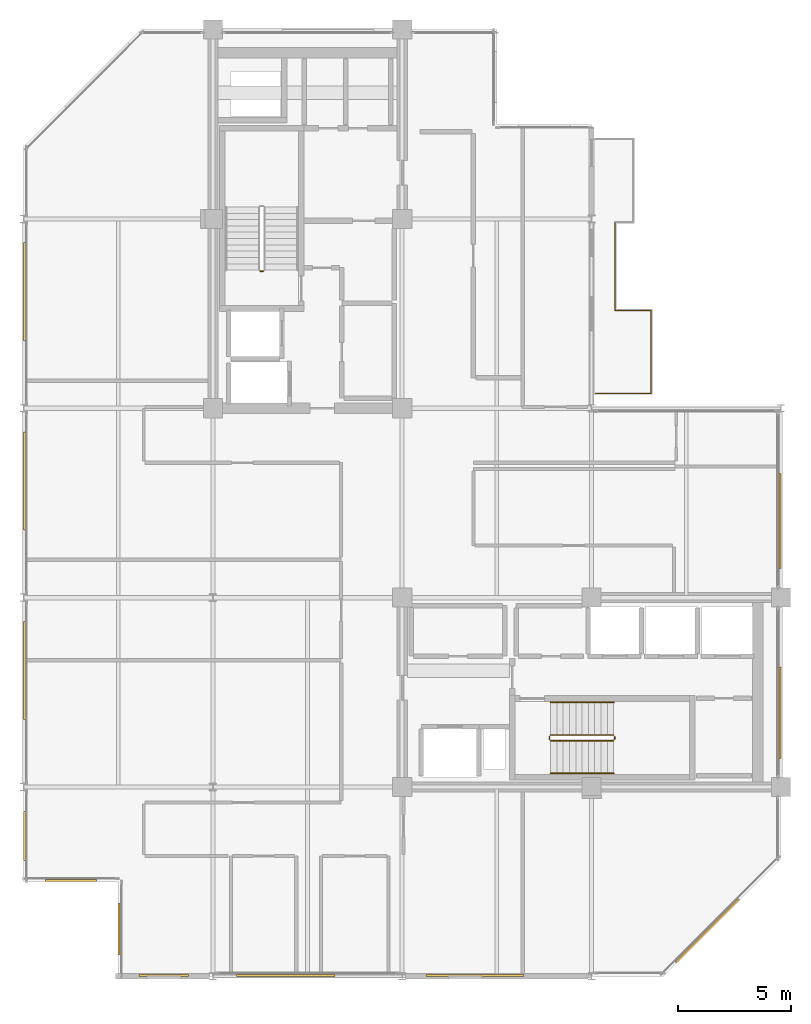
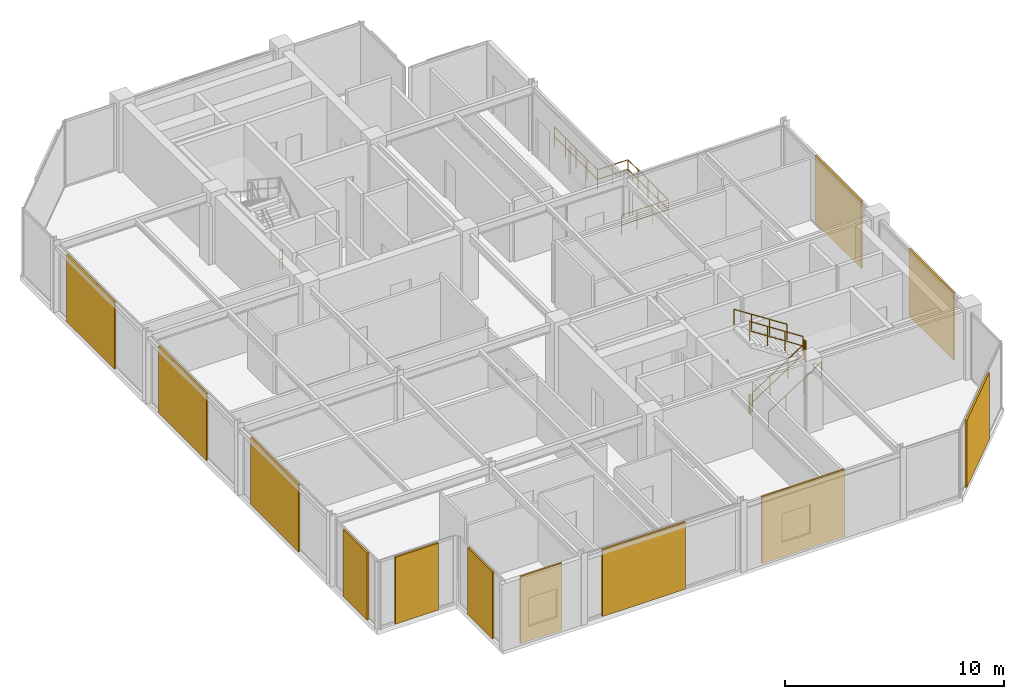
# One storey, part 23 of 24: 12 coverings, 11 railings.
"""IFC4 building model written with IfcOpenShell, lengths in metres."""

from ifc_helpers import new_model, si_unit, direction, frame, origin, origin_2d, place, context, subcontext, project, spatial, rectangle, circle, extrude, material, layer, layer_set, type_object, element, save


model = new_model("IFC4")

# Units and contexts
model_context = context("Model", 3, precision=1e-05, world=origin(), true_north=direction((0.0, 1.0)))
body_context = subcontext(model_context, "Body", "Model", "MODEL_VIEW")
ifc_project = project(units=[si_unit("LENGTHUNIT", "METRE"), si_unit("AREAUNIT", "SQUARE_METRE"), si_unit("VOLUMEUNIT", "CUBIC_METRE"), si_unit("PLANEANGLEUNIT", "RADIAN"), si_unit("MASSUNIT", "GRAM", prefix="KILO")], contexts=[model_context])

# Site, building, storey
site_placement = place(None, origin())
site = spatial("IfcSite", under=ifc_project, at=site_placement, CompositionType="ELEMENT")
building_placement = place(site_placement, origin())
building = spatial("IfcBuilding", under=site, at=building_placement, Name="Nerrivon Quay Data Exchange", CompositionType="ELEMENT")
storey_placement = place(building_placement, frame((0.0, 0.0, 298.199951171875)))
storey = spatial("IfcBuildingStorey", under=building, at=storey_placement, Name="L71", CompositionType="ELEMENT", Elevation=298.199951171875)

# Coverings
ifc_material_1 = material(Name="Architectural terracotta ceramic", Category="masonry")
ifc_layer = layer(ifc_material_1, 0.090087890625)
ifc_layer_set = layer_set([ifc_layer], Name="Architectural terracotta ceramic")
covering_type = type_object("IfcCoveringType", Name="COV-SCR-TERR", PredefinedType="CLADDING", material=ifc_layer_set)
covering_1_placement = place(storey_placement, frame((30.34423828125, 2.0078125, 0.0), z_axis=(0.0, 0.0, 1.0), x_axis=(-0.707106781187, -0.707106781187, 0.0)))
element("IfcCovering", 1, at=covering_1_placement, inside=storey, type_object=covering_type, Name="L71 Perforated Terracotta SOLAR SCREEN Cassette", PredefinedType="CLADDING", context=body_context, shape_type="SweptSolid", body=[
    extrude(rectangle(XDim=3.970947265625, YDim=0.090087890625, at=origin_2d()), origin(), (0.0, 0.0, 1.0), 3.72509765625),
])
for number, where, z_axis, x_axis, name in (
    (2, (20.029296875, 0.044921875, 0.0), (0.0, 0.0, 1.0), (-1.0, 0.0, 0.0), "L71 Perforated Terracotta SOLAR SCREEN Cassette"),
    (3, (11.62939453125, 0.044921875, 0.0), (0.0, 0.0, 1.0), (-1.0, 0.0, 0.0), "L71 Perforated Terracotta SOLAR SCREEN Cassette"),
):
    element("IfcCovering", number, at=place(storey_placement, frame(where, z_axis=z_axis, x_axis=x_axis)), inside=storey, type_object=covering_type, Name=name, PredefinedType="CLADDING", context=body_context, shape_type="SweptSolid", body=[
        extrude(rectangle(XDim=4.367919921875, YDim=0.090087890625, at=origin_2d()), origin(), (0.0, 0.0, 1.0), 3.72509765625),
    ])
covering_2_placement = place(storey_placement, frame((6.222412109375, 0.044921875, 0.0), z_axis=(0.0, 0.0, 1.0), x_axis=(-1.0, 0.0, 0.0)))
element("IfcCovering", 4, at=covering_2_placement, inside=storey, type_object=covering_type, Name="L71 Perforated Terracotta SOLAR SCREEN Cassette", PredefinedType="CLADDING", context=body_context, shape_type="SweptSolid", body=[
    extrude(rectangle(XDim=2.18408203125, YDim=0.090087890625, at=origin_2d()), origin(), (0.0, 0.0, 1.0), 3.72509765625),
])
for number, where, z_axis, x_axis, name in (
    (5, (4.2451171875, 2.10009765625, 0.0), (0.0, 0.0, 1.0), (0.0, 1.0, 0.0), "L71 Perforated Terracotta SOLAR SCREEN Cassette"),
    (6, (2.10009765625, 4.2451171875, 0.0), (0.0, 0.0, 1.0), (-1.0, 0.0, 0.0), "L71 Perforated Terracotta SOLAR SCREEN Cassette"),
):
    element("IfcCovering", number, at=place(storey_placement, frame(where, z_axis=z_axis, x_axis=x_axis)), inside=storey, type_object=covering_type, Name=name, PredefinedType="CLADDING", context=body_context, shape_type="SweptSolid", body=[
        extrude(rectangle(XDim=2.26806640625, YDim=0.090087890625, at=origin_2d()), origin(), (0.0, 0.0, 1.0), 3.72509765625),
    ])
covering_3_placement = place(storey_placement, frame((0.044921875, 6.21826171875, 0.0), z_axis=(0.0, 0.0, 1.0), x_axis=(0.0, 1.0, 0.0)))
element("IfcCovering", 7, at=covering_3_placement, inside=storey, type_object=covering_type, Name="L71 Perforated Terracotta SOLAR SCREEN Cassette", PredefinedType="CLADDING", context=body_context, shape_type="SweptSolid", body=[
    extrude(rectangle(XDim=2.179931640625, YDim=0.090087890625, at=origin_2d()), origin(), (0.0, 0.0, 1.0), 3.72509765625),
])
for number, where, z_axis, x_axis, name in (
    (8, (0.044921875, 13.56884765625, 0.0), (0.0, 0.0, 1.0), (0.0, 1.0, 0.0), "L71 Perforated Terracotta SOLAR SCREEN Cassette"),
    (9, (0.044921875, 21.96875, 0.0), (0.0, 0.0, 1.0), (0.0, 1.0, 0.0), "L71 Perforated Terracotta SOLAR SCREEN Cassette"),
    (10, (0.044921875, 30.368896484375, 0.0), (0.0, 0.0, 1.0), (0.0, 1.0, 0.0), "L71 Perforated Terracotta SOLAR SCREEN Cassette"),
):
    element("IfcCovering", number, at=place(storey_placement, frame(where, z_axis=z_axis, x_axis=x_axis)), inside=storey, type_object=covering_type, Name=name, PredefinedType="CLADDING", context=body_context, shape_type="SweptSolid", body=[
        extrude(rectangle(XDim=4.35888671875, YDim=0.090087890625, at=origin_2d()), origin(), (0.0, 0.0, 1.0), 3.72509765625),
    ])
covering_4_placement = place(storey_placement, frame((33.554931640625, 20.193359375, 0.0), z_axis=(0.0, 0.0, 1.0), x_axis=(0.0, -1.0, 0.0)))
element("IfcCovering", 11, at=covering_4_placement, inside=storey, type_object=covering_type, Name="L71 Perforated Terracotta SOLAR SCREEN Cassette", PredefinedType="CLADDING", context=body_context, shape_type="SweptSolid", body=[
    extrude(rectangle(XDim=4.218017578125, YDim=0.090087890625, at=origin_2d()), origin(), (0.0, 0.0, 1.0), 3.72509765625),
])
covering_5_placement = place(storey_placement, frame((33.554931640625, 11.694091796875, 0.0), z_axis=(0.0, 0.0, 1.0), x_axis=(0.0, -1.0, 0.0)))
element("IfcCovering", 12, at=covering_5_placement, inside=storey, type_object=covering_type, Name="L71 Perforated Terracotta SOLAR SCREEN Cassette", PredefinedType="CLADDING", context=body_context, shape_type="SweptSolid", body=[
    extrude(rectangle(XDim=4.076904296875, YDim=0.090087890625, at=origin_2d()), origin(), (0.0, 0.0, 1.0), 3.72509765625),
])

# Railings
ifc_material_2 = material(Name="Steel Grade C350L0 (350 MPa)", Category="steel")
railing_type_1 = type_object("IfcRailingType", Name="RAIL-GUARD-GR2", PredefinedType="BALUSTRADE", material=ifc_material_2)
railing_1_placement = place(storey_placement, frame((26.239990234375, 29.5400390625, 0.0)))
element("IfcRailing", 13, at=railing_1_placement, inside=storey, type_object=railing_type_1, Name="L71 Verandah Balcony Guard 1.1 1", PredefinedType="BALUSTRADE", context=body_context, shape_type="SweptSolid", body=[
    extrude(circle(Radius=0.02392578125, at=origin_2d()), frame((0.0, 0.0, 1.09619140625), z_axis=(1.0, 0.0, 0.0), x_axis=(0.0, 1.0, 0.0)), (0.0, 0.0, 1.0), 1.60009765625),
    extrude(circle(Radius=0.02392578125, at=origin_2d()), frame((0.0, 0.0, 0.56005859375), z_axis=(1.0, 0.0, 0.0), x_axis=(0.0, 1.0, 0.0)), (0.0, 0.0, 1.0), 1.60009765625),
    extrude(circle(Radius=0.02099609375, at=origin_2d()), origin(), (0.0, 0.0, 1.0), 1.072021484375),
    extrude(circle(Radius=0.02099609375, at=origin_2d()), frame((0.800048828125, 0.0, 0.0)), (0.0, 0.0, 1.0), 1.072021484375),
    extrude(circle(Radius=0.02099609375, at=origin_2d()), frame((1.60009765625, 0.0, 0.0)), (0.0, 0.0, 1.0), 1.072021484375),
])
railing_2_placement = place(storey_placement, frame((27.840087890625, 29.5400390625, 0.0)))
element("IfcRailing", 14, at=railing_2_placement, inside=storey, type_object=railing_type_1, Name="L71 Verandah Balcony Guard 1.2 1", PredefinedType="BALUSTRADE", context=body_context, shape_type="SweptSolid", body=[
    extrude(circle(Radius=0.02392578125, at=origin_2d()), frame((0.0, 0.0, 1.09619140625), z_axis=(0.0, -1.0, 0.0), x_axis=(1.0, 0.0, 0.0)), (0.0, 0.0, 1.0), 3.679931640625),
    extrude(circle(Radius=0.02392578125, at=origin_2d()), frame((0.0, 0.0, 0.56005859375), z_axis=(0.0, -1.0, 0.0), x_axis=(1.0, 0.0, 0.0)), (0.0, 0.0, 1.0), 3.679931640625),
    extrude(circle(Radius=0.02099609375, at=origin_2d()), origin(), (0.0, 0.0, 1.0), 1.072021484375),
    extrude(circle(Radius=0.02099609375, at=origin_2d()), frame((0.0, -0.919921875, 0.0)), (0.0, 0.0, 1.0), 1.072021484375),
    extrude(circle(Radius=0.02099609375, at=origin_2d()), frame((0.0, -1.83984375, 0.0)), (0.0, 0.0, 1.0), 1.072021484375),
    extrude(circle(Radius=0.02099609375, at=origin_2d()), frame((0.0, -2.760009765625, 0.0)), (0.0, 0.0, 1.0), 1.072021484375),
    extrude(circle(Radius=0.02099609375, at=origin_2d()), frame((0.0, -3.679931640625, 0.0)), (0.0, 0.0, 1.0), 1.072021484375),
])
railing_3_placement = place(storey_placement, frame((27.840087890625, 25.860107421875, 0.0)))
element("IfcRailing", 15, at=railing_3_placement, inside=storey, type_object=railing_type_1, Name="L71 Verandah Balcony Guard 1.3 1", PredefinedType="BALUSTRADE", context=body_context, shape_type="SweptSolid", body=[
    extrude(circle(Radius=0.02392578125, at=origin_2d()), frame((0.0, 0.0, 1.09619140625), z_axis=(-1.0, 0.0, 0.0), x_axis=(0.0, -1.0, 0.0)), (0.0, 0.0, 1.0), 2.460205078125),
    extrude(circle(Radius=0.02392578125, at=origin_2d()), frame((0.0, 0.0, 0.56005859375), z_axis=(-1.0, 0.0, 0.0), x_axis=(0.0, -1.0, 0.0)), (0.0, 0.0, 1.0), 2.460205078125),
    extrude(circle(Radius=0.02099609375, at=origin_2d()), origin(), (0.0, 0.0, 1.0), 1.072021484375),
    extrude(circle(Radius=0.02099609375, at=origin_2d()), frame((-0.820068359375, 0.0, 0.0)), (0.0, 0.0, 1.0), 1.072021484375),
    extrude(circle(Radius=0.02099609375, at=origin_2d()), frame((-1.64013671875, 0.0, 0.0)), (0.0, 0.0, 1.0), 1.072021484375),
    extrude(circle(Radius=0.02099609375, at=origin_2d()), frame((-2.460205078125, 0.0, 0.0)), (0.0, 0.0, 1.0), 1.072021484375),
])
railing_4_placement = place(storey_placement, frame((26.239990234375, 33.4599609375, 0.0)))
element("IfcRailing", 16, at=railing_4_placement, inside=storey, type_object=railing_type_1, Name="L71 Verandah Balcony Guard 1.7 1", PredefinedType="BALUSTRADE", context=body_context, shape_type="SweptSolid", body=[
    extrude(circle(Radius=0.02392578125, at=origin_2d()), frame((0.0, 0.0, 1.09619140625), z_axis=(0.0, -1.0, 0.0), x_axis=(1.0, 0.0, 0.0)), (0.0, 0.0, 1.0), 3.919921875),
    extrude(circle(Radius=0.02392578125, at=origin_2d()), frame((0.0, 0.0, 0.56005859375), z_axis=(0.0, -1.0, 0.0), x_axis=(1.0, 0.0, 0.0)), (0.0, 0.0, 1.0), 3.919921875),
    extrude(circle(Radius=0.02099609375, at=origin_2d()), origin(), (0.0, 0.0, 1.0), 1.072021484375),
    extrude(circle(Radius=0.02099609375, at=origin_2d()), frame((0.0, -0.97998046875, 0.0)), (0.0, 0.0, 1.0), 1.072021484375),
    extrude(circle(Radius=0.02099609375, at=origin_2d()), frame((0.0, -1.9599609375, 0.0)), (0.0, 0.0, 1.0), 1.072021484375),
    extrude(circle(Radius=0.02099609375, at=origin_2d()), frame((0.0, -2.93994140625, 0.0)), (0.0, 0.0, 1.0), 1.072021484375),
    extrude(circle(Radius=0.02099609375, at=origin_2d()), frame((0.0, -3.919921875, 0.0)), (0.0, 0.0, 1.0), 1.072021484375),
])
railing_type_2 = type_object("IfcRailingType", Name="RAIL-HAND-HR1", PredefinedType="HANDRAIL", material=ifc_material_2)
railing_5_placement = place(storey_placement, frame((23.3798828125, 9.0, 0.181884765625)))
element("IfcRailing", 17, at=railing_5_placement, inside=storey, type_object=railing_type_2, Name="L71 ST02 stair handrail 1", PredefinedType="HANDRAIL", context=body_context, shape_type="SweptSolid", body=[
    extrude(circle(Radius=0.02392578125, at=origin_2d()), frame((0.0, 0.0, 0.8759765625), z_axis=(0.838705829183, 0.0, 0.544584733623), x_axis=(0.0, 1.0, 0.0)), (0.0, 0.0, 1.0), 3.338623046875),
    extrude(circle(Radius=0.02099609375, at=origin_2d()), origin(), (0.0, 0.0, 1.0), 0.851806640625),
    extrude(circle(Radius=0.02099609375, at=origin_2d()), frame((0.933349609375, 0.0, 0.60595703125)), (0.0, 0.0, 1.0), 0.851806640625),
    extrude(circle(Radius=0.02099609375, at=origin_2d()), frame((1.86669921875, 0.0, 1.212158203125)), (0.0, 0.0, 1.0), 0.851806640625),
    extrude(circle(Radius=0.02099609375, at=origin_2d()), frame((2.800048828125, 0.0, 1.818115234375)), (0.0, 0.0, 1.0), 0.851806640625),
])
railing_6_placement = place(storey_placement, frame((26.179931640625, 12.14990234375, 2.181884765625)))
element("IfcRailing", 18, at=railing_6_placement, inside=storey, type_object=railing_type_2, Name="L71 ST02 stair handrail 2", PredefinedType="HANDRAIL", context=body_context, shape_type="SweptSolid", body=[
    extrude(circle(Radius=0.02392578125, at=origin_2d()), frame((0.0, 0.0, 0.8759765625), z_axis=(-0.838705829183, 0.0, 0.544584733623), x_axis=(0.0, -1.0, 0.0)), (0.0, 0.0, 1.0), 3.338623046875),
    extrude(circle(Radius=0.02099609375, at=origin_2d()), origin(), (0.0, 0.0, 1.0), 0.851806640625),
    extrude(circle(Radius=0.02099609375, at=origin_2d()), frame((-0.933349609375, 0.0, 0.60595703125)), (0.0, 0.0, 1.0), 0.851806640625),
    extrude(circle(Radius=0.02099609375, at=origin_2d()), frame((-1.86669921875, 0.0, 1.212158203125)), (0.0, 0.0, 1.0), 0.851806640625),
    extrude(circle(Radius=0.02099609375, at=origin_2d()), frame((-2.800048828125, 0.0, 1.818115234375)), (0.0, 0.0, 1.0), 0.851806640625),
])
railing_type_3 = type_object("IfcRailingType", Name="RAIL-STAIR-GR1", PredefinedType="BALUSTRADE", material=ifc_material_2)
railing_7_placement = place(storey_placement, frame((10.64990234375, 31.280029296875, 0.0)))
element("IfcRailing", 19, at=railing_7_placement, inside=storey, type_object=railing_type_3, Name="L71 ST01 stair guard 4", PredefinedType="BALUSTRADE", context=body_context, shape_type="SweptSolid", body=[
    extrude(circle(Radius=0.02392578125, at=origin_2d()), frame((0.0, 0.0, 1.076171875), z_axis=(-1.0, 0.0, 0.0), x_axis=(0.0, -1.0, 0.0)), (0.0, 0.0, 1.0), 0.14990234375),
    extrude(circle(Radius=0.02392578125, at=origin_2d()), frame((0.0, 0.0, 0.550048828125), z_axis=(-1.0, 0.0, 0.0), x_axis=(0.0, -1.0, 0.0)), (0.0, 0.0, 1.0), 0.14990234375),
    extrude(circle(Radius=0.02099609375, at=origin_2d()), origin(), (0.0, 0.0, 1.0), 1.052001953125),
    extrude(circle(Radius=0.02099609375, at=origin_2d()), frame((-0.14990234375, 0.0, 0.0)), (0.0, 0.0, 1.0), 1.052001953125),
])
railing_8_placement = place(storey_placement, frame((23.3798828125, 10.449951171875, 0.181884765625)))
element("IfcRailing", 20, at=railing_8_placement, inside=storey, type_object=railing_type_3, Name="L71 ST02 stair guard 1", PredefinedType="BALUSTRADE", context=body_context, shape_type="SweptSolid", body=[
    extrude(circle(Radius=0.02392578125, at=origin_2d()), frame((0.0, 0.0, 1.076171875), z_axis=(0.838705829183, 0.0, 0.544584733623), x_axis=(0.0, 1.0, 0.0)), (0.0, 0.0, 1.0), 3.338623046875),
    extrude(circle(Radius=0.02392578125, at=origin_2d()), frame((0.0, 0.0, 0.550048828125), z_axis=(0.838705829183, 0.0, 0.544584733623), x_axis=(0.0, 1.0, 0.0)), (0.0, 0.0, 1.0), 3.338623046875),
    extrude(circle(Radius=0.02099609375, at=origin_2d()), origin(), (0.0, 0.0, 1.0), 1.052001953125),
    extrude(circle(Radius=0.02099609375, at=origin_2d()), frame((0.933349609375, 0.0, 0.60595703125)), (0.0, 0.0, 1.0), 1.052001953125),
    extrude(circle(Radius=0.02099609375, at=origin_2d()), frame((1.86669921875, 0.0, 1.212158203125)), (0.0, 0.0, 1.0), 1.052001953125),
    extrude(circle(Radius=0.02099609375, at=origin_2d()), frame((2.800048828125, 0.0, 1.818115234375)), (0.0, 0.0, 1.0), 1.052001953125),
])
railing_9_placement = place(storey_placement, frame((26.22998046875, 10.5, 2.0)))
element("IfcRailing", 21, at=railing_9_placement, inside=storey, type_object=railing_type_3, Name="L71 ST02 stair guard 2", PredefinedType="BALUSTRADE", context=body_context, shape_type="SweptSolid", body=[
    extrude(circle(Radius=0.02392578125, at=origin_2d()), frame((0.0, 0.0, 1.076171875), z_axis=(0.0, 1.0, 0.0), x_axis=(-1.0, 0.0, 0.0)), (0.0, 0.0, 1.0), 0.14990234375),
    extrude(circle(Radius=0.02392578125, at=origin_2d()), frame((0.0, 0.0, 0.550048828125), z_axis=(0.0, 1.0, 0.0), x_axis=(-1.0, 0.0, 0.0)), (0.0, 0.0, 1.0), 0.14990234375),
    extrude(circle(Radius=0.02099609375, at=origin_2d()), origin(), (0.0, 0.0, 1.0), 1.052001953125),
    extrude(circle(Radius=0.02099609375, at=origin_2d()), frame((0.0, 0.14990234375, 0.0)), (0.0, 0.0, 1.0), 1.052001953125),
])
railing_10_placement = place(storey_placement, frame((26.179931640625, 10.699951171875, 2.181884765625)))
element("IfcRailing", 22, at=railing_10_placement, inside=storey, type_object=railing_type_3, Name="L71 ST02 stair guard 3", PredefinedType="BALUSTRADE", context=body_context, shape_type="SweptSolid", body=[
    extrude(circle(Radius=0.02392578125, at=origin_2d()), frame((0.0, 0.0, 1.076171875), z_axis=(-0.838705829183, 0.0, 0.544584733623), x_axis=(0.0, -1.0, 0.0)), (0.0, 0.0, 1.0), 3.338623046875),
    extrude(circle(Radius=0.02392578125, at=origin_2d()), frame((0.0, 0.0, 0.550048828125), z_axis=(-0.838705829183, 0.0, 0.544584733623), x_axis=(0.0, -1.0, 0.0)), (0.0, 0.0, 1.0), 3.338623046875),
    extrude(circle(Radius=0.02099609375, at=origin_2d()), origin(), (0.0, 0.0, 1.0), 1.052001953125),
    extrude(circle(Radius=0.02099609375, at=origin_2d()), frame((-0.933349609375, 0.0, 0.60595703125)), (0.0, 0.0, 1.0), 1.052001953125),
    extrude(circle(Radius=0.02099609375, at=origin_2d()), frame((-1.86669921875, 0.0, 1.212158203125)), (0.0, 0.0, 1.0), 1.052001953125),
    extrude(circle(Radius=0.02099609375, at=origin_2d()), frame((-2.800048828125, 0.0, 1.818115234375)), (0.0, 0.0, 1.0), 1.052001953125),
])
railing_11_placement = place(storey_placement, frame((23.330078125, 10.5, 0.0)))
element("IfcRailing", 23, at=railing_11_placement, inside=storey, type_object=railing_type_3, Name="L71 ST02 stair guard 4", PredefinedType="BALUSTRADE", context=body_context, shape_type="SweptSolid", body=[
    extrude(circle(Radius=0.02392578125, at=origin_2d()), frame((0.0, 0.0, 1.076171875), z_axis=(0.0, 1.0, 0.0), x_axis=(-1.0, 0.0, 0.0)), (0.0, 0.0, 1.0), 0.14990234375),
    extrude(circle(Radius=0.02392578125, at=origin_2d()), frame((0.0, 0.0, 0.550048828125), z_axis=(0.0, 1.0, 0.0), x_axis=(-1.0, 0.0, 0.0)), (0.0, 0.0, 1.0), 0.14990234375),
    extrude(circle(Radius=0.02099609375, at=origin_2d()), origin(), (0.0, 0.0, 1.0), 1.052001953125),
    extrude(circle(Radius=0.02099609375, at=origin_2d()), frame((0.0, 0.14990234375, 0.0)), (0.0, 0.0, 1.0), 1.052001953125),
])

save(model, "model.ifc")
